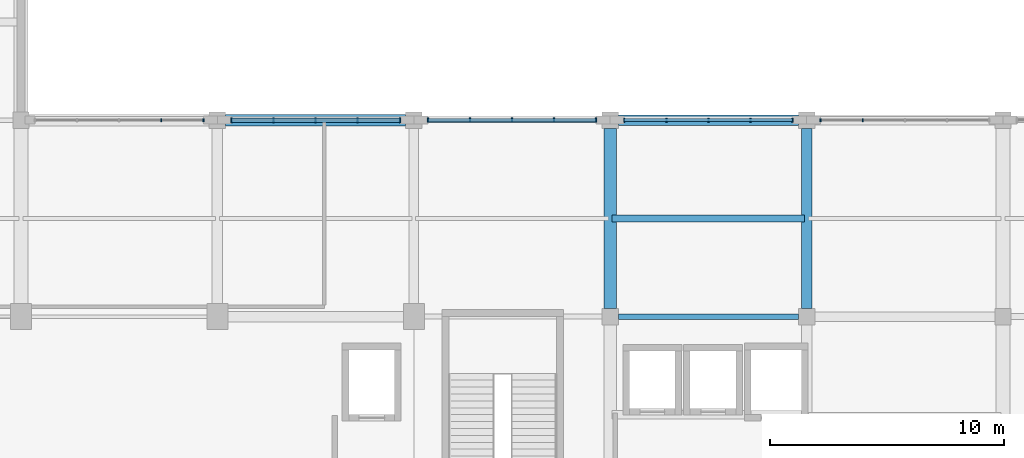
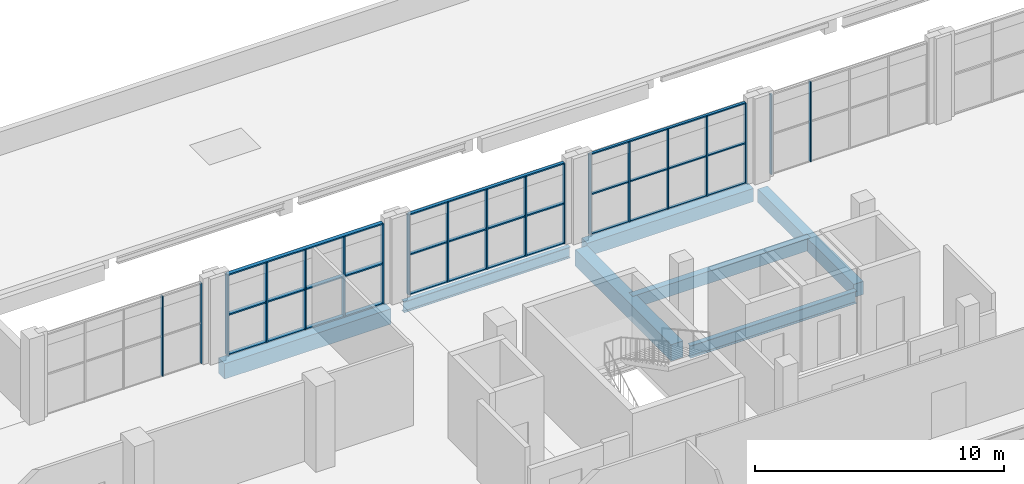
# One storey, part 21 of 64: 28 members, 7 beams, 5 elements without a shape of their own.
"""IFC4 building model written with IfcOpenShell, lengths in metres."""

from ifc_helpers import new_model, si_unit, derived_unit, direction, frame, origin, origin_2d, place, context, subcontext, project, spatial, rectangle, i_section, extrude, material, material_profile, profile_set, type_object, element, aggregate, save


model = new_model("IFC4")

# Units and contexts
model_context = context("Model", 3, precision=1e-05, world=origin(), true_north=direction((0.0, 1.0)))
body_context = subcontext(model_context, "Body", "Model", "MODEL_VIEW")
ifc_project = project(units=[si_unit("LENGTHUNIT", "METRE"), si_unit("AREAUNIT", "SQUARE_METRE"), si_unit("VOLUMEUNIT", "CUBIC_METRE"), si_unit("PLANEANGLEUNIT", "RADIAN"), si_unit("MASSUNIT", "GRAM", prefix="KILO"), derived_unit("THERMALTRANSMITTANCEUNIT", [(si_unit("POWERUNIT", "WATT"), 1), (si_unit("LENGTHUNIT", "METRE"), -2), (si_unit("THERMODYNAMICTEMPERATUREUNIT", "KELVIN"), -1)])], contexts=[model_context])

# Site, building, storey
site_placement = place(None, origin())
site = spatial("IfcSite", under=ifc_project, at=site_placement, CompositionType="ELEMENT")
building_placement = place(site_placement, origin())
building = spatial("IfcBuilding", under=site, at=building_placement, Name="Barrovel Congress Hotel", CompositionType="ELEMENT")
storey_placement = place(building_placement, frame((0.0, 0.0, 14.10009765625)))
storey = spatial("IfcBuildingStorey", under=building, at=storey_placement, Name="L03", CompositionType="ELEMENT", Elevation=14.10009765625)

# Beams
ifc_material_1 = material(Name="Concrete C40", Category="concrete")
ifc_material_profile_1 = material_profile(ifc_material_1, rectangle(XDim=0.300048828125, YDim=0.60009765625, at=origin_2d()), Name="RC300x600")
ifc_profile_set_1 = profile_set([ifc_material_profile_1], Name="Concrete C40")
beam_type_1 = type_object("IfcBeamType", Name="BM-RC300x600", PredefinedType="JOIST", material=ifc_profile_set_1)
beam_1_placement = place(storey_placement, frame((84.080078125, 25.199951171875, -0.5400390625), z_axis=(1.0, 0.0, 0.0), x_axis=(0.0, 1.0, 0.0)))
element("IfcBeam", 1, at=beam_1_placement, inside=storey, type_object=beam_type_1, Name="JST:L03:84.0:25.2", PredefinedType="JOIST", context=body_context, shape_type="SweptSolid", body=[
    extrude(rectangle(XDim=0.300048828125, YDim=0.60009765625, at=origin_2d()), origin(), (0.0, 0.0, 1.0), 8.239990234375),
])
ifc_material_profile_2 = material_profile(ifc_material_1, rectangle(XDim=0.449951171875, YDim=0.64990234375, at=origin_2d()), Name="RC450x650")
ifc_profile_set_2 = profile_set([ifc_material_profile_2], Name="Concrete C40")
beam_type_2 = type_object("IfcBeamType", Name="BM-RC450x650", PredefinedType="BEAM", material=ifc_profile_set_2)
for number, where, z_axis, x_axis, name in (
    (2, (84.35009765625, 29.39990234375, -0.565185546875), (1.0, 0.0, 0.0), (0.0, 1.0, 0.0), "BMX:L03:29.4:84.0-92.4"),
    (3, (92.39990234375, 21.35009765625, -0.565185546875), (0.0, 1.0, 0.0), (-1.0, 0.0, 0.0), "BMY:L03:92.4:21.0-29.4"),
):
    element("IfcBeam", number, at=place(storey_placement, frame(where, z_axis=z_axis, x_axis=x_axis)), inside=storey, type_object=beam_type_2, Name=name, PredefinedType="BEAM", context=body_context, shape_type="SweptSolid", body=[
        extrude(rectangle(XDim=0.449951171875, YDim=0.64990234375, at=origin_2d()), origin(), (0.0, 0.0, 1.0), 7.699951171875),
    ])
ifc_material_profile_3 = material_profile(ifc_material_1, rectangle(XDim=0.5, YDim=0.75, at=origin_2d()), Name="RC500x750")
ifc_profile_set_3 = profile_set([ifc_material_profile_3], Name="Concrete C40")
beam_type_3 = type_object("IfcBeamType", Name="BM-RC500x750", PredefinedType="BEAM", material=ifc_profile_set_3)
beam_2_placement = place(storey_placement, frame((67.550048828125, 29.39990234375, -0.614990234375), z_axis=(1.0, 0.0, 0.0), x_axis=(0.0, 1.0, 0.0)))
element("IfcBeam", 4, at=beam_2_placement, inside=storey, type_object=beam_type_3, Name="BMX:L03:29.4:67.2-75.6", PredefinedType="BEAM", context=body_context, shape_type="SweptSolid", body=[
    extrude(rectangle(XDim=0.5, YDim=0.75, at=origin_2d()), origin(), (0.0, 0.0, 1.0), 7.699951171875),
])
ifc_material_profile_4 = material_profile(ifc_material_1, rectangle(XDim=0.550048828125, YDim=0.800048828125, at=origin_2d()), Name="RC550x800")
ifc_profile_set_4 = profile_set([ifc_material_profile_4], Name="Concrete C40")
beam_type_4 = type_object("IfcBeamType", Name="BM-RC550x800", PredefinedType="BEAM", material=ifc_profile_set_4)
beam_3_placement = place(storey_placement, frame((84.0, 21.35009765625, -0.64013671875), z_axis=(0.0, 1.0, 0.0), x_axis=(-1.0, 0.0, 0.0)))
element("IfcBeam", 5, at=beam_3_placement, inside=storey, type_object=beam_type_4, Name="BMY:L03:84.0:21.0-29.4", PredefinedType="BEAM", context=body_context, shape_type="SweptSolid", body=[
    extrude(rectangle(XDim=0.550048828125, YDim=0.800048828125, at=origin_2d()), origin(), (0.0, 0.0, 1.0), 7.699951171875),
])

# Curtain wall, members
ifc_material_2 = material(Name="Anodised Aluminium Alloy 6063-T6", Category="aluminium")
curtain_wall_type = type_object("IfcCurtainWallType", Name="CW-ST-7200x3600", PredefinedType="USERDEFINED", material=ifc_material_2)
curtain_wall_1_placement = place(storey_placement, origin())
curtain_wall_1 = element("IfcCurtainWall", 6, at=curtain_wall_1_placement, inside=storey, type_object=curtain_wall_type, Name="CW:L03:CS:11", ObjectType="STICK CURTAIN WALL", PredefinedType="USERDEFINED")
ifc_material_profile_5 = material_profile(ifc_material_2, rectangle(XDim=0.06005859375, YDim=0.139892578125, at=origin_2d()), Name="AL-M60x140")
ifc_profile_set_5 = profile_set([ifc_material_profile_5], Name="Anodised Aluminium Alloy 6063-T6")
member_type_1 = type_object("IfcMemberType", Name="CWM-AL-M60x140", PredefinedType="MULLION", material=ifc_profile_set_5)
member_1_placement = place(storey_placement, frame((94.800048828125, 29.39990234375, 0.0), z_axis=(0.0, 0.0, 1.0), x_axis=(1.0, 0.0, 0.0)))
member_1 = element("IfcMember", 7, at=member_1_placement, type_object=member_type_1, Name="CW:L03:CS:11:M3", PredefinedType="MULLION", context=body_context, shape_type="SweptSolid", body=[
    extrude(rectangle(XDim=0.06005859375, YDim=0.139892578125, at=origin_2d()), origin(), (0.0, 0.0, 1.0), 3.919921875),
])
member_2_placement = place(storey_placement, frame((93.0, 29.39990234375, 0.0), z_axis=(0.0, 0.0, 1.0), x_axis=(1.0, 0.0, 0.0)))
member_2 = element("IfcMember", 8, at=member_2_placement, type_object=member_type_1, Name="CW:L03:CS:11:M4", PredefinedType="MULLION", context=body_context, shape_type="SweptSolid", body=[
    extrude(rectangle(XDim=0.06005859375, YDim=0.139892578125, at=origin_2d()), origin(), (0.0, 0.0, 1.0), 3.919921875),
])
aggregate(curtain_wall_1, [member_1, member_2])

curtain_wall_2_placement = place(storey_placement, origin())
curtain_wall_2 = element("IfcCurtainWall", 9, at=curtain_wall_2_placement, inside=storey, type_object=curtain_wall_type, Name="CW:L03:CS:07", ObjectType="STICK CURTAIN WALL", PredefinedType="USERDEFINED")
member_3_placement = place(storey_placement, frame((66.60009765625, 29.39990234375, 0.0), z_axis=(0.0, 0.0, 1.0), x_axis=(1.0, 0.0, 0.0)))
member_3 = element("IfcMember", 10, at=member_3_placement, type_object=member_type_1, Name="CW:L03:CS:07:M0", PredefinedType="MULLION", context=body_context, shape_type="SweptSolid", body=[
    extrude(rectangle(XDim=0.06005859375, YDim=0.139892578125, at=origin_2d()), origin(), (0.0, 0.0, 1.0), 3.919921875),
])
member_4_placement = place(storey_placement, frame((64.800048828125, 29.39990234375, 0.0), z_axis=(0.0, 0.0, 1.0), x_axis=(1.0, 0.0, 0.0)))
member_4 = element("IfcMember", 11, at=member_4_placement, type_object=member_type_1, Name="CW:L03:CS:07:M1", PredefinedType="MULLION", context=body_context, shape_type="SweptSolid", body=[
    extrude(rectangle(XDim=0.06005859375, YDim=0.139892578125, at=origin_2d()), origin(), (0.0, 0.0, 1.0), 3.919921875),
])
aggregate(curtain_wall_2, [member_3, member_4])

curtain_wall_3_placement = place(storey_placement, origin())
curtain_wall_3 = element("IfcCurtainWall", 12, at=curtain_wall_3_placement, inside=storey, type_object=curtain_wall_type, Name="CW:L03:CS:10", ObjectType="STICK CURTAIN WALL", PredefinedType="USERDEFINED")
ifc_material_profile_6 = material_profile(ifc_material_2, rectangle(XDim=0.06005859375, YDim=0.1650390625, at=origin_2d()), Name="AL-M60x165")
ifc_profile_set_6 = profile_set([ifc_material_profile_6], Name="Anodised Aluminium Alloy 6063-T6")
member_type_2 = type_object("IfcMemberType", Name="CWM-AL-M60x165", PredefinedType="MULLION", material=ifc_profile_set_6)
member_5_placement = place(storey_placement, frame((91.800048828125, 29.39990234375, 0.0), z_axis=(0.0, 0.0, 1.0), x_axis=(1.0, 0.0, 0.0)))
member_5 = element("IfcMember", 13, at=member_5_placement, type_object=member_type_2, Name="CW:L03:CS:10:M0", PredefinedType="MULLION", context=body_context, shape_type="SweptSolid", body=[
    extrude(rectangle(XDim=0.06005859375, YDim=0.1650390625, at=origin_2d()), origin(), (0.0, 0.0, 1.0), 3.919921875),
])
member_6_placement = place(storey_placement, frame((90.0, 29.39990234375, 0.0), z_axis=(0.0, 0.0, 1.0), x_axis=(1.0, 0.0, 0.0)))
member_6 = element("IfcMember", 14, at=member_6_placement, type_object=member_type_2, Name="CW:L03:CS:10:M1", PredefinedType="MULLION", context=body_context, shape_type="SweptSolid", body=[
    extrude(rectangle(XDim=0.06005859375, YDim=0.1650390625, at=origin_2d()), origin(), (0.0, 0.0, 1.0), 3.919921875),
])
member_7_placement = place(storey_placement, frame((88.199951171875, 29.39990234375, 0.0), z_axis=(0.0, 0.0, 1.0), x_axis=(1.0, 0.0, 0.0)))
member_7 = element("IfcMember", 15, at=member_7_placement, type_object=member_type_2, Name="CW:L03:CS:10:M2", PredefinedType="MULLION", context=body_context, shape_type="SweptSolid", body=[
    extrude(rectangle(XDim=0.06005859375, YDim=0.1650390625, at=origin_2d()), origin(), (0.0, 0.0, 1.0), 3.919921875),
])
member_8_placement = place(storey_placement, frame((86.39990234375, 29.39990234375, 0.0), z_axis=(0.0, 0.0, 1.0), x_axis=(1.0, 0.0, 0.0)))
member_8 = element("IfcMember", 16, at=member_8_placement, type_object=member_type_2, Name="CW:L03:CS:10:M3", PredefinedType="MULLION", context=body_context, shape_type="SweptSolid", body=[
    extrude(rectangle(XDim=0.06005859375, YDim=0.1650390625, at=origin_2d()), origin(), (0.0, 0.0, 1.0), 3.919921875),
])
member_9_placement = place(storey_placement, frame((84.60009765625, 29.39990234375, 0.0), z_axis=(0.0, 0.0, 1.0), x_axis=(1.0, 0.0, 0.0)))
member_9 = element("IfcMember", 17, at=member_9_placement, type_object=member_type_2, Name="CW:L03:CS:10:M4", PredefinedType="MULLION", context=body_context, shape_type="SweptSolid", body=[
    extrude(rectangle(XDim=0.06005859375, YDim=0.1650390625, at=origin_2d()), origin(), (0.0, 0.0, 1.0), 3.919921875),
])

curtain_wall_4_placement = place(storey_placement, origin())
curtain_wall_4 = element("IfcCurtainWall", 18, at=curtain_wall_4_placement, inside=storey, type_object=curtain_wall_type, Name="CW:L03:CS:09", ObjectType="STICK CURTAIN WALL", PredefinedType="USERDEFINED")
ifc_material_profile_7 = material_profile(ifc_material_2, rectangle(XDim=0.06494140625, YDim=0.18994140625, at=origin_2d()), Name="AL-M65x190")
ifc_profile_set_7 = profile_set([ifc_material_profile_7], Name="Anodised Aluminium Alloy 6063-T6")
member_type_3 = type_object("IfcMemberType", Name="CWM-AL-M65x190", PredefinedType="MULLION", material=ifc_profile_set_7)
member_10_placement = place(storey_placement, frame((83.39990234375, 29.39990234375, 0.0), z_axis=(0.0, 0.0, 1.0), x_axis=(1.0, 0.0, 0.0)))
member_10 = element("IfcMember", 19, at=member_10_placement, type_object=member_type_3, Name="CW:L03:CS:09:M0", PredefinedType="MULLION", context=body_context, shape_type="SweptSolid", body=[
    extrude(rectangle(XDim=0.06494140625, YDim=0.18994140625, at=origin_2d()), origin(), (0.0, 0.0, 1.0), 3.919921875),
])
member_11_placement = place(storey_placement, frame((81.60009765625, 29.39990234375, 0.0), z_axis=(0.0, 0.0, 1.0), x_axis=(1.0, 0.0, 0.0)))
member_11 = element("IfcMember", 20, at=member_11_placement, type_object=member_type_3, Name="CW:L03:CS:09:M1", PredefinedType="MULLION", context=body_context, shape_type="SweptSolid", body=[
    extrude(rectangle(XDim=0.06494140625, YDim=0.18994140625, at=origin_2d()), origin(), (0.0, 0.0, 1.0), 3.919921875),
])
member_12_placement = place(storey_placement, frame((79.800048828125, 29.39990234375, 0.0), z_axis=(0.0, 0.0, 1.0), x_axis=(1.0, 0.0, 0.0)))
member_12 = element("IfcMember", 21, at=member_12_placement, type_object=member_type_3, Name="CW:L03:CS:09:M2", PredefinedType="MULLION", context=body_context, shape_type="SweptSolid", body=[
    extrude(rectangle(XDim=0.06494140625, YDim=0.18994140625, at=origin_2d()), origin(), (0.0, 0.0, 1.0), 3.919921875),
])
member_13_placement = place(storey_placement, frame((78.0, 29.39990234375, 0.0), z_axis=(0.0, 0.0, 1.0), x_axis=(1.0, 0.0, 0.0)))
member_13 = element("IfcMember", 22, at=member_13_placement, type_object=member_type_3, Name="CW:L03:CS:09:M3", PredefinedType="MULLION", context=body_context, shape_type="SweptSolid", body=[
    extrude(rectangle(XDim=0.06494140625, YDim=0.18994140625, at=origin_2d()), origin(), (0.0, 0.0, 1.0), 3.919921875),
])
member_14_placement = place(storey_placement, frame((76.199951171875, 29.39990234375, 0.0), z_axis=(0.0, 0.0, 1.0), x_axis=(1.0, 0.0, 0.0)))
member_14 = element("IfcMember", 23, at=member_14_placement, type_object=member_type_3, Name="CW:L03:CS:09:M4", PredefinedType="MULLION", context=body_context, shape_type="SweptSolid", body=[
    extrude(rectangle(XDim=0.06494140625, YDim=0.18994140625, at=origin_2d()), origin(), (0.0, 0.0, 1.0), 3.919921875),
])

curtain_wall_5_placement = place(storey_placement, origin())
curtain_wall_5 = element("IfcCurtainWall", 24, at=curtain_wall_5_placement, inside=storey, type_object=curtain_wall_type, Name="CW:L03:CS:08", ObjectType="STICK CURTAIN WALL", PredefinedType="USERDEFINED")
ifc_material_profile_8 = material_profile(ifc_material_2, rectangle(XDim=0.06494140625, YDim=0.219970703125, at=origin_2d()), Name="AL-M65x220")
ifc_profile_set_8 = profile_set([ifc_material_profile_8], Name="Anodised Aluminium Alloy 6063-T6")
member_type_4 = type_object("IfcMemberType", Name="CWM-AL-M65x220", PredefinedType="MULLION", material=ifc_profile_set_8)
member_15_placement = place(storey_placement, frame((75.0, 29.39990234375, 0.0), z_axis=(0.0, 0.0, 1.0), x_axis=(1.0, 0.0, 0.0)))
member_15 = element("IfcMember", 25, at=member_15_placement, type_object=member_type_4, Name="CW:L03:CS:08:M0", PredefinedType="MULLION", context=body_context, shape_type="SweptSolid", body=[
    extrude(rectangle(XDim=0.06494140625, YDim=0.219970703125, at=origin_2d()), origin(), (0.0, 0.0, 1.0), 3.919921875),
])
member_16_placement = place(storey_placement, frame((73.199951171875, 29.39990234375, 0.0), z_axis=(0.0, 0.0, 1.0), x_axis=(1.0, 0.0, 0.0)))
member_16 = element("IfcMember", 26, at=member_16_placement, type_object=member_type_4, Name="CW:L03:CS:08:M1", PredefinedType="MULLION", context=body_context, shape_type="SweptSolid", body=[
    extrude(rectangle(XDim=0.06494140625, YDim=0.219970703125, at=origin_2d()), origin(), (0.0, 0.0, 1.0), 3.919921875),
])
member_17_placement = place(storey_placement, frame((71.39990234375, 29.39990234375, 0.0), z_axis=(0.0, 0.0, 1.0), x_axis=(1.0, 0.0, 0.0)))
member_17 = element("IfcMember", 27, at=member_17_placement, type_object=member_type_4, Name="CW:L03:CS:08:M2", PredefinedType="MULLION", context=body_context, shape_type="SweptSolid", body=[
    extrude(rectangle(XDim=0.06494140625, YDim=0.219970703125, at=origin_2d()), origin(), (0.0, 0.0, 1.0), 3.919921875),
])
member_18_placement = place(storey_placement, frame((69.60009765625, 29.39990234375, 0.0), z_axis=(0.0, 0.0, 1.0), x_axis=(1.0, 0.0, 0.0)))
member_18 = element("IfcMember", 28, at=member_18_placement, type_object=member_type_4, Name="CW:L03:CS:08:M3", PredefinedType="MULLION", context=body_context, shape_type="SweptSolid", body=[
    extrude(rectangle(XDim=0.06494140625, YDim=0.219970703125, at=origin_2d()), origin(), (0.0, 0.0, 1.0), 3.919921875),
])
member_19_placement = place(storey_placement, frame((67.800048828125, 29.39990234375, 0.0), z_axis=(0.0, 0.0, 1.0), x_axis=(1.0, 0.0, 0.0)))
member_19 = element("IfcMember", 29, at=member_19_placement, type_object=member_type_4, Name="CW:L03:CS:08:M4", PredefinedType="MULLION", context=body_context, shape_type="SweptSolid", body=[
    extrude(rectangle(XDim=0.06494140625, YDim=0.219970703125, at=origin_2d()), origin(), (0.0, 0.0, 1.0), 3.919921875),
])

# Member
ifc_material_profile_9 = material_profile(ifc_material_2, rectangle(XDim=0.125, YDim=0.06005859375, at=origin_2d()), Name="AL-T60x125")
ifc_profile_set_9 = profile_set([ifc_material_profile_9], Name="Anodised Aluminium Alloy 6063-T6")
member_type_5 = type_object("IfcMemberType", Name="CWT-AL-T60x125", PredefinedType="USERDEFINED", material=ifc_profile_set_9)
member_20_placement = place(storey_placement, frame((91.800048828125, 29.39990234375, 0.0), z_axis=(-1.0, 0.0, 0.0), x_axis=(0.0, -1.0, 0.0)))
member_20 = element("IfcMember", 30, at=member_20_placement, type_object=member_type_5, Name="CW:L03:CS:10:T0", ObjectType="TRANSOM", PredefinedType="USERDEFINED", context=body_context, shape_type="SweptSolid", body=[
    extrude(rectangle(XDim=0.125, YDim=0.06005859375, at=origin_2d()), origin(), (0.0, 0.0, 1.0), 7.199951171875),
])

member_21_placement = place(storey_placement, frame((91.800048828125, 29.39990234375, 1.9599609375), z_axis=(-1.0, 0.0, 0.0), x_axis=(0.0, -1.0, 0.0)))
member_21 = element("IfcMember", 31, at=member_21_placement, type_object=member_type_5, Name="CW:L03:CS:10:T1", ObjectType="TRANSOM", PredefinedType="USERDEFINED", context=body_context, shape_type="SweptSolid", body=[
    extrude(rectangle(XDim=0.125, YDim=0.06005859375, at=origin_2d()), origin(), (0.0, 0.0, 1.0), 7.199951171875),
])

member_22_placement = place(storey_placement, frame((91.800048828125, 29.39990234375, 3.919921875), z_axis=(-1.0, 0.0, 0.0), x_axis=(0.0, -1.0, 0.0)))
member_22 = element("IfcMember", 32, at=member_22_placement, type_object=member_type_5, Name="CW:L03:CS:10:T2", ObjectType="TRANSOM", PredefinedType="USERDEFINED", context=body_context, shape_type="SweptSolid", body=[
    extrude(rectangle(XDim=0.125, YDim=0.06005859375, at=origin_2d()), origin(), (0.0, 0.0, 1.0), 7.199951171875),
])

aggregate(curtain_wall_3, [member_5, member_6, member_7, member_8, member_9, member_20, member_21, member_22])

ifc_material_profile_10 = material_profile(ifc_material_2, rectangle(XDim=0.14990234375, YDim=0.06494140625, at=origin_2d()), Name="AL-T65x150")
ifc_profile_set_10 = profile_set([ifc_material_profile_10], Name="Anodised Aluminium Alloy 6063-T6")
member_type_6 = type_object("IfcMemberType", Name="CWT-AL-T65x150", PredefinedType="USERDEFINED", material=ifc_profile_set_10)
member_23_placement = place(storey_placement, frame((83.39990234375, 29.39990234375, 0.0), z_axis=(-1.0, 0.0, 0.0), x_axis=(0.0, -1.0, 0.0)))
member_23 = element("IfcMember", 33, at=member_23_placement, type_object=member_type_6, Name="CW:L03:CS:09:T0", ObjectType="TRANSOM", PredefinedType="USERDEFINED", context=body_context, shape_type="SweptSolid", body=[
    extrude(rectangle(XDim=0.14990234375, YDim=0.06494140625, at=origin_2d()), origin(), (0.0, 0.0, 1.0), 7.199951171875),
])

member_24_placement = place(storey_placement, frame((83.39990234375, 29.39990234375, 1.9599609375), z_axis=(-1.0, 0.0, 0.0), x_axis=(0.0, -1.0, 0.0)))
member_24 = element("IfcMember", 34, at=member_24_placement, type_object=member_type_6, Name="CW:L03:CS:09:T1", ObjectType="TRANSOM", PredefinedType="USERDEFINED", context=body_context, shape_type="SweptSolid", body=[
    extrude(rectangle(XDim=0.14990234375, YDim=0.06494140625, at=origin_2d()), origin(), (0.0, 0.0, 1.0), 7.199951171875),
])

member_25_placement = place(storey_placement, frame((83.39990234375, 29.39990234375, 3.919921875), z_axis=(-1.0, 0.0, 0.0), x_axis=(0.0, -1.0, 0.0)))
member_25 = element("IfcMember", 35, at=member_25_placement, type_object=member_type_6, Name="CW:L03:CS:09:T2", ObjectType="TRANSOM", PredefinedType="USERDEFINED", context=body_context, shape_type="SweptSolid", body=[
    extrude(rectangle(XDim=0.14990234375, YDim=0.06494140625, at=origin_2d()), origin(), (0.0, 0.0, 1.0), 7.199951171875),
])

aggregate(curtain_wall_4, [member_10, member_11, member_12, member_13, member_14, member_23, member_24, member_25])

ifc_material_profile_11 = material_profile(ifc_material_2, rectangle(XDim=0.179931640625, YDim=0.06494140625, at=origin_2d()), Name="AL-T65x180")
ifc_profile_set_11 = profile_set([ifc_material_profile_11], Name="Anodised Aluminium Alloy 6063-T6")
member_type_7 = type_object("IfcMemberType", Name="CWT-AL-T65x180", PredefinedType="USERDEFINED", material=ifc_profile_set_11)
member_26_placement = place(storey_placement, frame((75.0, 29.39990234375, 0.0), z_axis=(-1.0, 0.0, 0.0), x_axis=(0.0, -1.0, 0.0)))
member_26 = element("IfcMember", 36, at=member_26_placement, type_object=member_type_7, Name="CW:L03:CS:08:T0", ObjectType="TRANSOM", PredefinedType="USERDEFINED", context=body_context, shape_type="SweptSolid", body=[
    extrude(rectangle(XDim=0.179931640625, YDim=0.06494140625, at=origin_2d()), origin(), (0.0, 0.0, 1.0), 7.199951171875),
])

member_27_placement = place(storey_placement, frame((75.0, 29.39990234375, 1.9599609375), z_axis=(-1.0, 0.0, 0.0), x_axis=(0.0, -1.0, 0.0)))
member_27 = element("IfcMember", 37, at=member_27_placement, type_object=member_type_7, Name="CW:L03:CS:08:T1", ObjectType="TRANSOM", PredefinedType="USERDEFINED", context=body_context, shape_type="SweptSolid", body=[
    extrude(rectangle(XDim=0.179931640625, YDim=0.06494140625, at=origin_2d()), origin(), (0.0, 0.0, 1.0), 7.199951171875),
])

member_28_placement = place(storey_placement, frame((75.0, 29.39990234375, 3.919921875), z_axis=(-1.0, 0.0, 0.0), x_axis=(0.0, -1.0, 0.0)))
member_28 = element("IfcMember", 38, at=member_28_placement, type_object=member_type_7, Name="CW:L03:CS:08:T2", ObjectType="TRANSOM", PredefinedType="USERDEFINED", context=body_context, shape_type="SweptSolid", body=[
    extrude(rectangle(XDim=0.179931640625, YDim=0.06494140625, at=origin_2d()), origin(), (0.0, 0.0, 1.0), 7.199951171875),
])

aggregate(curtain_wall_5, [member_15, member_16, member_17, member_18, member_19, member_26, member_27, member_28])

# Beams
ifc_material_3 = material(Name="Steel ASTM A992 Grade 50", Category="steel")
ifc_material_profile_12 = material_profile(ifc_material_3, i_section(OverallWidth=0.208984375, OverallDepth=0.532958984375, WebThickness=0.01025390625, FlangeThickness=0.015625, FilletRadius=0.013916015625, at=origin_2d()), Name="W530x92")
ifc_profile_set_12 = profile_set([ifc_material_profile_12], Name="Steel ASTM A992 Grade 50")
beam_type_5 = type_object("IfcBeamType", Name="SBM-W530x92", PredefinedType="BEAM", material=ifc_profile_set_12)
beam_4_placement = place(storey_placement, frame((75.949951171875, 29.39990234375, -0.506591796875), z_axis=(1.0, 0.0, 0.0), x_axis=(0.0, 1.0, 0.0)))
element("IfcBeam", 39, at=beam_4_placement, inside=storey, type_object=beam_type_5, Name="BMX:L03:29.4:75.6-84.0", PredefinedType="BEAM", context=body_context, shape_type="SweptSolid", body=[
    extrude(i_section(OverallWidth=0.208984375, OverallDepth=0.532958984375, WebThickness=0.01025390625, FlangeThickness=0.015625, FilletRadius=0.013916015625, at=origin_2d()), origin(), (0.0, 0.0, 1.0), 7.699951171875),
])
ifc_material_profile_13 = material_profile(ifc_material_3, i_section(OverallWidth=0.22802734375, OverallDepth=0.60302734375, WebThickness=0.010498046875, FlangeThickness=0.014892578125, FilletRadius=0.014892578125, at=origin_2d()), Name="W610x101")
ifc_profile_set_13 = profile_set([ifc_material_profile_13], Name="Steel ASTM A992 Grade 50")
beam_type_6 = type_object("IfcBeamType", Name="SBM-W610x101", PredefinedType="BEAM", material=ifc_profile_set_13)
beam_5_placement = place(storey_placement, frame((84.35009765625, 21.0, -0.54150390625), z_axis=(1.0, 0.0, 0.0), x_axis=(0.0, 1.0, 0.0)))
element("IfcBeam", 40, at=beam_5_placement, inside=storey, type_object=beam_type_6, Name="BMX:L03:21.0:84.0-92.4", PredefinedType="BEAM", context=body_context, shape_type="SweptSolid", body=[
    extrude(i_section(OverallWidth=0.22802734375, OverallDepth=0.60302734375, WebThickness=0.010498046875, FlangeThickness=0.014892578125, FilletRadius=0.014892578125, at=origin_2d()), origin(), (0.0, 0.0, 1.0), 7.699951171875),
])

save(model, "model.ifc")
